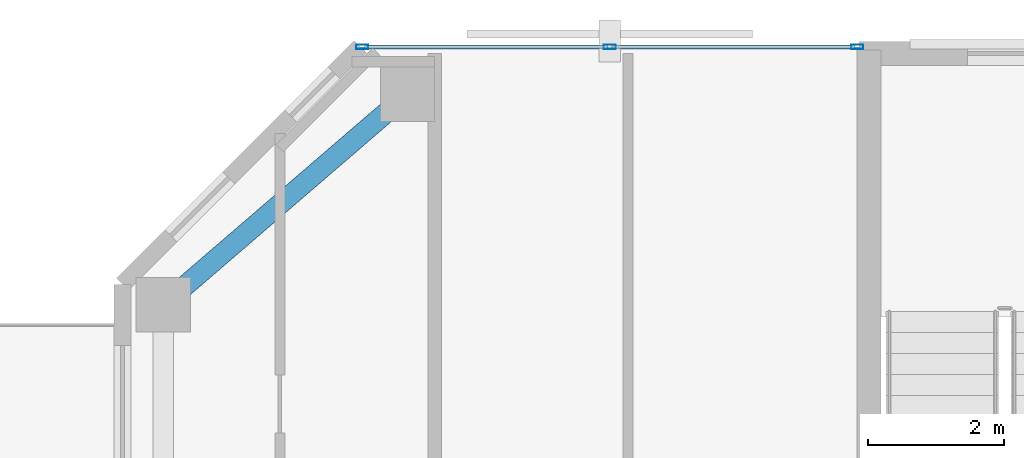
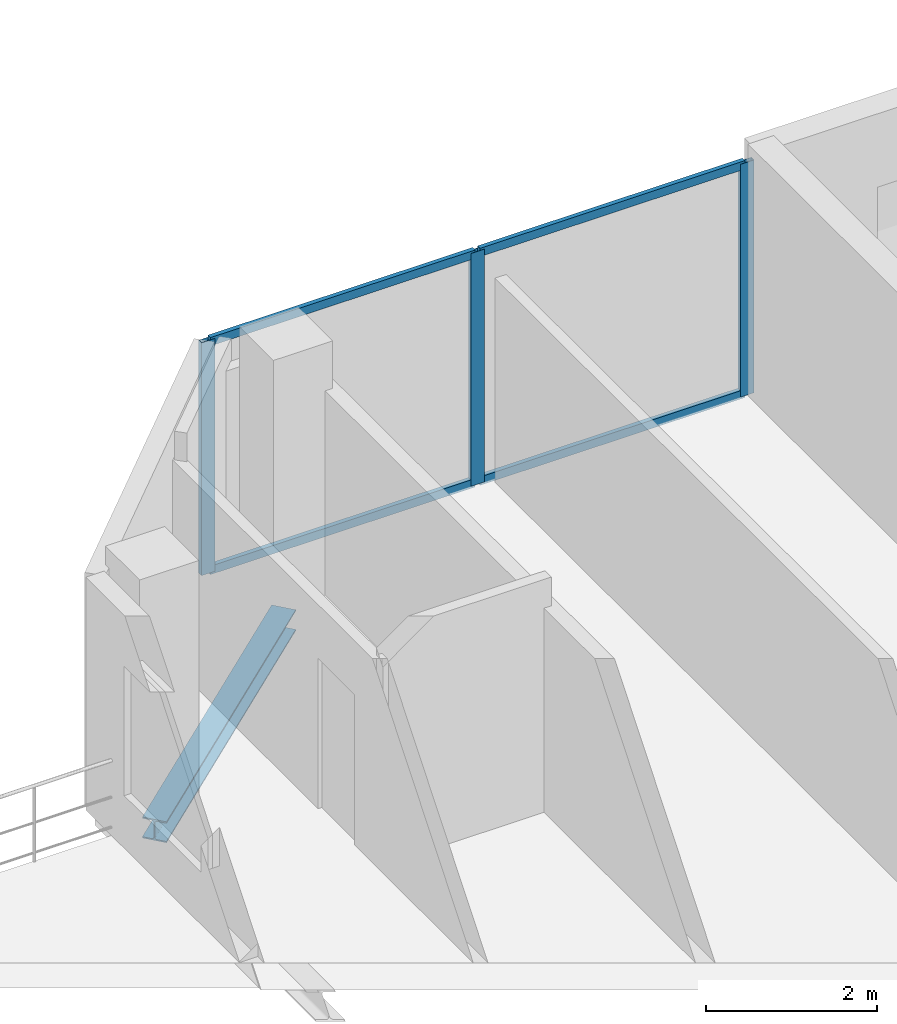
# One storey, part 15 of 23: 7 members, 1 beam, 1 element without a shape of its own.
"""IFC4 building model written with IfcOpenShell, lengths in metres."""

from ifc_helpers import new_model, si_unit, direction, frame, origin, origin_2d, place, context, subcontext, project, spatial, hollow_rectangle, i_section, extrude, material, layer, layer_set, material_profile, profile_set, type_object, element, aggregate, save


model = new_model("IFC4")

# Units and contexts
model_context = context("Model", 3, precision=1e-05, world=origin(), true_north=direction((0.0, 1.0)))
body_context = subcontext(model_context, "Body", "Model", "MODEL_VIEW")
ifc_project = project(units=[si_unit("LENGTHUNIT", "METRE"), si_unit("AREAUNIT", "SQUARE_METRE"), si_unit("VOLUMEUNIT", "CUBIC_METRE"), si_unit("PLANEANGLEUNIT", "RADIAN"), si_unit("MASSUNIT", "GRAM", prefix="KILO")], contexts=[model_context])

# Site, building, storey
site_placement = place(None, origin())
site = spatial("IfcSite", under=ifc_project, at=site_placement, CompositionType="ELEMENT")
building_placement = place(site_placement, origin())
building = spatial("IfcBuilding", under=site, at=building_placement, Name="Catumbela Crestline Tower", CompositionType="ELEMENT")
storey_placement = place(building_placement, frame((0.0, 0.0, 190.2)))
storey = spatial("IfcBuildingStorey", under=building, at=storey_placement, Name="L49", CompositionType="ELEMENT", Elevation=190.2)

# Curtain wall, members
ifc_material_1 = material(Name="Aluminium alloy AW-6060-T66", Category="aluminium")
ifc_layer = layer(ifc_material_1, 0.18, Name="Aluminium alloy AW-6060-T66")
ifc_layer_set = layer_set([ifc_layer], Name="Aluminium alloy AW-6060-T66")
curtain_wall_type = type_object("IfcCurtainWallType", Name="CWU-Z3", PredefinedType="USERDEFINED", material=ifc_layer_set)
curtain_wall_placement = place(storey_placement, origin())
curtain_wall = element("IfcCurtainWall", 1, at=curtain_wall_placement, inside=storey, type_object=curtain_wall_type, Name="L49 Unitised Curtain Wall CW-L49-E7S2", ObjectType="UNITISED", PredefinedType="USERDEFINED")
ifc_material_profile_1 = material_profile(ifc_material_1, hollow_rectangle(XDim=0.065, YDim=0.18, WallThickness=0.004, at=origin_2d()), Name="ALU 180x65x4")
ifc_profile_set_1 = profile_set([ifc_material_profile_1], Name="Aluminium alloy AW-6060-T66")
member_type_1 = type_object("IfcMemberType", Name="MUL-180X65", PredefinedType="MULLION", material=ifc_profile_set_1)
member_1_placement = place(storey_placement, frame((15.8275, 43.0, 0.0), z_axis=(0.0, 0.0, 1.0), x_axis=(0.0, -1.0, 0.0)))
member_1 = element("IfcMember", 2, at=member_1_placement, type_object=member_type_1, Name="CWU-Z3 mullion 1", PredefinedType="MULLION", context=body_context, shape_type="SweptSolid", body=[
    extrude(hollow_rectangle(XDim=0.065, YDim=0.18, WallThickness=0.004, at=origin_2d()), origin(), (0.0, 0.0, 1.0), 3.33),
])
member_2_placement = place(storey_placement, frame((12.18, 43.0, 0.0), z_axis=(0.0, 0.0, 1.0), x_axis=(0.0, -1.0, 0.0)))
member_2 = element("IfcMember", 3, at=member_2_placement, type_object=member_type_1, Name="CWU-Z3 mullion 2", PredefinedType="MULLION", context=body_context, shape_type="SweptSolid", body=[
    extrude(hollow_rectangle(XDim=0.065, YDim=0.18, WallThickness=0.004, at=origin_2d()), origin(), (0.0, 0.0, 1.0), 3.33),
])
member_3_placement = place(storey_placement, frame((8.5325, 43.0, 0.0), z_axis=(0.0, 0.0, 1.0), x_axis=(0.0, -1.0, 0.0)))
member_3 = element("IfcMember", 4, at=member_3_placement, type_object=member_type_1, Name="CWU-Z3 mullion 3", PredefinedType="MULLION", context=body_context, shape_type="SweptSolid", body=[
    extrude(hollow_rectangle(XDim=0.065, YDim=0.18, WallThickness=0.004, at=origin_2d()), origin(), (0.0, 0.0, 1.0), 3.33),
])

# Beam
ifc_material_2 = material(Name="Structural steel S355J2", Category="steel")
ifc_material_profile_2 = material_profile(ifc_material_2, i_section(OverallWidth=0.3, OverallDepth=0.3, WebThickness=0.011, FlangeThickness=0.019, FilletRadius=0.027, at=origin_2d()), Name="HEB 300")
ifc_profile_set_2 = profile_set([ifc_material_profile_2], Name="Structural steel S355J2")
beam_type = type_object("IfcBeamType", Name="BS-HEB300", PredefinedType="SPANDREL", material=ifc_profile_set_2)
beam_placement = place(storey_placement, frame((5.6606, 39.2522, -0.41), z_axis=(0.757772392559, 0.652518966066, 0.0), x_axis=(-0.652518966066, 0.757772392559, 0.0)))
element("IfcBeam", 5, at=beam_placement, inside=storey, type_object=beam_type, Name="L49 Spandrel SP-L49-N10", PredefinedType="SPANDREL", context=body_context, shape_type="SweptSolid", body=[
    extrude(i_section(OverallWidth=0.3, OverallDepth=0.3, WebThickness=0.011, FlangeThickness=0.019, FilletRadius=0.027, at=origin_2d()), origin(), (0.0, 0.0, 1.0), 4.5908),
])

# Member
ifc_material_profile_3 = material_profile(ifc_material_1, hollow_rectangle(XDim=0.06, YDim=0.12, WallThickness=0.0035, at=origin_2d()), Name="ALU 120x60x3.5")
ifc_profile_set_3 = profile_set([ifc_material_profile_3], Name="Aluminium alloy AW-6060-T66")
member_type_2 = type_object("IfcMemberType", Name="TRN-120X60", PredefinedType="USERDEFINED", material=ifc_profile_set_3)
member_4_placement = place(storey_placement, frame((15.795, 43.0, 0.03), z_axis=(-1.0, 0.0, 0.0), x_axis=(0.0, -1.0, 0.0)))
member_4 = element("IfcMember", 6, at=member_4_placement, type_object=member_type_2, Name="CWU-Z3 transom 1.1", ObjectType="TRANSOM", PredefinedType="USERDEFINED", context=body_context, shape_type="SweptSolid", body=[
    extrude(hollow_rectangle(XDim=0.06, YDim=0.12, WallThickness=0.0035, at=origin_2d()), origin(), (0.0, 0.0, 1.0), 3.5825),
])

member_5_placement = place(storey_placement, frame((15.795, 43.0, 3.3), z_axis=(-1.0, 0.0, 0.0), x_axis=(0.0, -1.0, 0.0)))
member_5 = element("IfcMember", 7, at=member_5_placement, type_object=member_type_2, Name="CWU-Z3 transom 1.2", ObjectType="TRANSOM", PredefinedType="USERDEFINED", context=body_context, shape_type="SweptSolid", body=[
    extrude(hollow_rectangle(XDim=0.06, YDim=0.12, WallThickness=0.0035, at=origin_2d()), origin(), (0.0, 0.0, 1.0), 3.5825),
])

member_6_placement = place(storey_placement, frame((12.1475, 43.0, 0.03), z_axis=(-1.0, 0.0, 0.0), x_axis=(0.0, -1.0, 0.0)))
member_6 = element("IfcMember", 8, at=member_6_placement, type_object=member_type_2, Name="CWU-Z3 transom 2.1", ObjectType="TRANSOM", PredefinedType="USERDEFINED", context=body_context, shape_type="SweptSolid", body=[
    extrude(hollow_rectangle(XDim=0.06, YDim=0.12, WallThickness=0.0035, at=origin_2d()), origin(), (0.0, 0.0, 1.0), 3.5825),
])

member_7_placement = place(storey_placement, frame((12.1475, 43.0, 3.3), z_axis=(-1.0, 0.0, 0.0), x_axis=(0.0, -1.0, 0.0)))
member_7 = element("IfcMember", 9, at=member_7_placement, type_object=member_type_2, Name="CWU-Z3 transom 2.2", ObjectType="TRANSOM", PredefinedType="USERDEFINED", context=body_context, shape_type="SweptSolid", body=[
    extrude(hollow_rectangle(XDim=0.06, YDim=0.12, WallThickness=0.0035, at=origin_2d()), origin(), (0.0, 0.0, 1.0), 3.5825),
])

aggregate(curtain_wall, [member_1, member_2, member_3, member_4, member_5, member_6, member_7])

save(model, "model.ifc")
